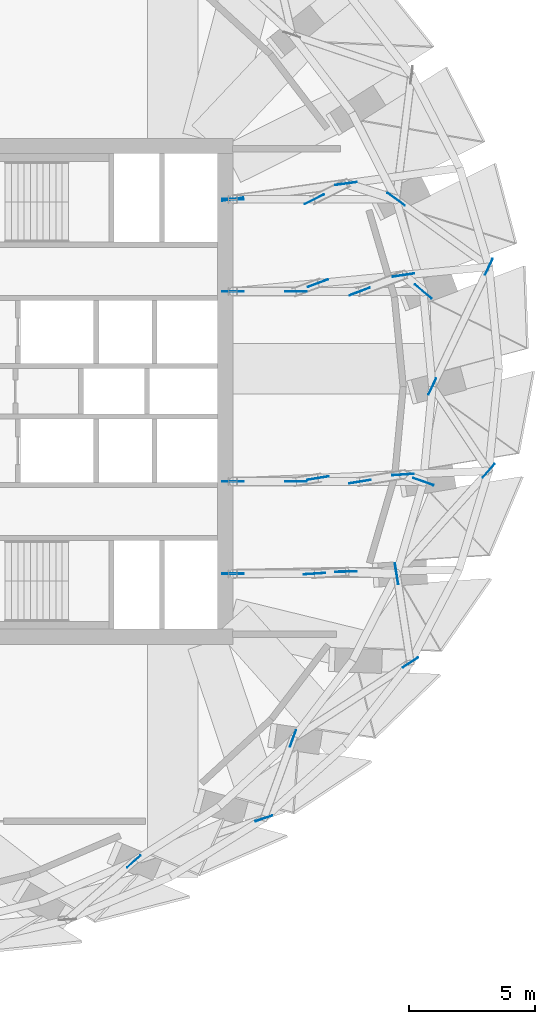
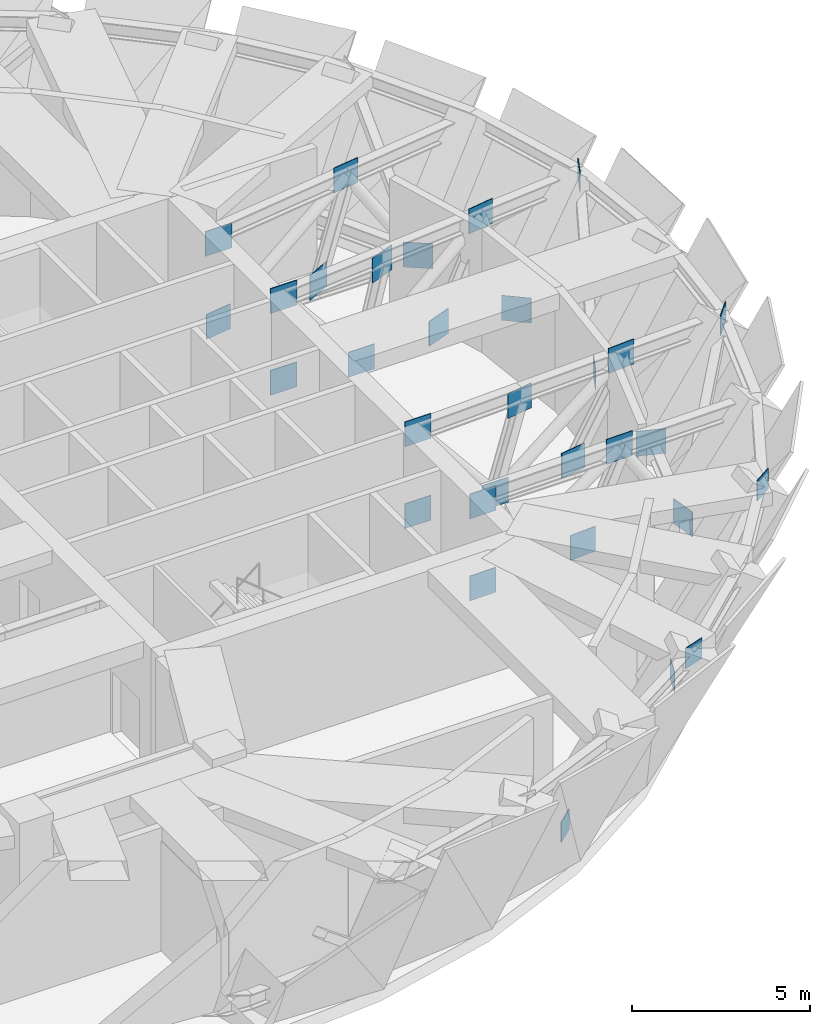
# One storey, part 11 of 16: 31 discrete accessories.
"""IFC4 building model written with IfcOpenShell, lengths in metres."""

from ifc_helpers import new_model, si_unit, direction, frame, origin, origin_2d, place, context, subcontext, project, spatial, rectangle, extrude, material, type_object, element, save


model = new_model("IFC4")

# Units and contexts
model_context = context("Model", 3, precision=1e-05, world=origin(), true_north=direction((0.0, 1.0)))
body_context = subcontext(model_context, "Body", "Model", "MODEL_VIEW")
ifc_project = project(units=[si_unit("LENGTHUNIT", "METRE"), si_unit("AREAUNIT", "SQUARE_METRE"), si_unit("VOLUMEUNIT", "CUBIC_METRE"), si_unit("PLANEANGLEUNIT", "RADIAN"), si_unit("MASSUNIT", "GRAM", prefix="KILO")], contexts=[model_context])

# Site, building, storey
site_placement = place(None, origin())
site = spatial("IfcSite", under=ifc_project, at=site_placement, CompositionType="ELEMENT")
building_placement = place(site_placement, origin())
building = spatial("IfcBuilding", under=site, at=building_placement, Name="Taillehof Tower", CompositionType="ELEMENT")
storey_placement = place(building_placement, frame((0.0, 0.0, 184.699951171875)))
storey = spatial("IfcBuildingStorey", under=building, at=storey_placement, Name="L52", CompositionType="ELEMENT", Elevation=184.699951171875)

# Discrete accessories
ifc_material = material(Name="Steel S460M", Category="steel")
discrete_accessory_type = type_object("IfcDiscreteAccessoryType", Name="Steel gusset plate", PredefinedType="BRACKET", material=ifc_material)
discrete_accessory_1_placement = place(storey_placement, frame((12.090087890625, -18.590087890625, 0.55029296875), z_axis=(0.0, 0.0, 1.0), x_axis=(0.752013548473, 0.659147648795, 0.0)))
element("IfcDiscreteAccessory", 1, at=discrete_accessory_1_placement, inside=storey, type_object=discrete_accessory_type, Name="Gusset plate 249", PredefinedType="BRACKET", context=body_context, shape_type="SweptSolid", body=[
    extrude(rectangle(XDim=0.699951171875, YDim=0.02490234375, at=origin_2d()), origin(), (0.0, 0.0, 1.0), 0.699951171875),
])
for number, where, z_axis, x_axis, name in (
    (2, (16.0, -7.2099609375, 0.47509765625), (0.0, 0.0, 1.0), (0.999842906306, 0.017724635682, 0.0), "Gusset plate 250"),
    (3, (16.0, -3.570068359375, 3.534912109375), (0.0, 0.0, 1.0), (1.0, 0.0, 0.0), "Gusset plate 251"),
    (4, (16.0, 3.949951171875, 3.534912109375), (0.0, 0.0, 1.0), (1.0, 0.0, 0.0), "Gusset plate 252"),
    (5, (16.0, 7.60009765625, 0.47509765625), (0.0, 0.0, 1.0), (0.990546848738, 0.137174853584, 0.0), "Gusset plate 253"),
):
    element("IfcDiscreteAccessory", number, at=place(storey_placement, frame(where, z_axis=z_axis, x_axis=x_axis)), inside=storey, type_object=discrete_accessory_type, Name=name, PredefinedType="BRACKET", context=body_context, shape_type="SweptSolid", body=[
        extrude(rectangle(XDim=0.85009765625, YDim=0.02490234375, at=origin_2d()), origin(), (0.0, 0.0, 1.0), 0.85009765625),
    ])
for number, where, z_axis, x_axis, name in (
    (6, (17.22998046875, -16.889892578125, 3.6201171875), (0.0, 0.0, 1.0), (0.949513123857, 0.313727314119, 0.0), "Gusset plate 254"),
    (7, (18.3798828125, -13.72998046875, 0.55029296875), (0.0, 0.0, 1.0), (0.343263019006, 0.93923931976, 0.0), "Gusset plate 257"),
):
    element("IfcDiscreteAccessory", number, at=place(storey_placement, frame(where, z_axis=z_axis, x_axis=x_axis)), inside=storey, type_object=discrete_accessory_type, Name=name, PredefinedType="BRACKET", context=body_context, shape_type="SweptSolid", body=[
        extrude(rectangle(XDim=0.699951171875, YDim=0.02490234375, at=origin_2d()), origin(), (0.0, 0.0, 1.0), 0.699951171875),
    ])
for number, where, z_axis, x_axis, name in (
    (8, (18.510009765625, -3.570068359375, 0.47509765625), (0.0, 0.0, 1.0), (1.0, 0.0, 0.0), "Gusset plate 258"),
    (9, (18.510009765625, 3.949951171875, 0.47509765625), (0.0, 0.0, 1.0), (1.0, 0.0, 0.0), "Gusset plate 259"),
    (10, (20.469970703125, -7.1298828125, 3.534912109375), (0.0, 0.0, 1.0), (0.999842906306, 0.017724635682, 0.0), "Gusset plate 260"),
    (11, (20.47998046875, 8.219970703125, 3.534912109375), (0.0, 0.0, 1.0), (0.990546848738, 0.137174853584, 0.0), "Gusset plate 261"),
    (12, (22.4599609375, 7.60009765625, 0.47509765625), (0.0, 0.0, 1.0), (-0.809414849816, 0.587237261162, 0.0), "Gusset plate 262"),
    (13, (22.47998046875, -7.2099609375, 0.47509765625), (0.0, 0.0, 1.0), (-0.153399770987, 0.988164212194, 0.0), "Gusset plate 263"),
    (14, (22.739990234375, -3.2900390625, 3.534912109375), (0.0, 0.0, 1.0), (0.997786173402, 0.066503775595, 0.0), "Gusset plate 264"),
    (15, (22.75, 4.60009765625, 3.534912109375), (0.0, 0.0, 1.0), (0.988471964442, 0.151404014185, 0.0), "Gusset plate 265"),
):
    element("IfcDiscreteAccessory", number, at=place(storey_placement, frame(where, z_axis=z_axis, x_axis=x_axis)), inside=storey, type_object=discrete_accessory_type, Name=name, PredefinedType="BRACKET", context=body_context, shape_type="SweptSolid", body=[
        extrude(rectangle(XDim=0.85009765625, YDim=0.02490234375, at=origin_2d()), origin(), (0.0, 0.0, 1.0), 0.85009765625),
    ])
discrete_accessory_2_placement = place(storey_placement, frame((23.030029296875, -10.719970703125, 3.6201171875), z_axis=(0.0, 0.0, 1.0), x_axis=(0.838841629955, 0.544375532013, 0.0)))
element("IfcDiscreteAccessory", 16, at=discrete_accessory_2_placement, inside=storey, type_object=discrete_accessory_type, Name="Gusset plate 266", PredefinedType="BRACKET", context=body_context, shape_type="SweptSolid", body=[
    extrude(rectangle(XDim=0.699951171875, YDim=0.02490234375, at=origin_2d()), origin(), (0.0, 0.0, 1.0), 0.699951171875),
])
for number, where, z_axis, x_axis, name in (
    (17, (23.530029296875, 3.949951171875, 0.47509765625), (0.0, 0.0, 1.0), (0.768587316003, -0.639744900472, 0.0), "Gusset plate 268"),
    (18, (23.5400390625, -3.570068359375, 0.47509765625), (0.0, 0.0, 1.0), (0.943375606679, -0.331726490838, 0.0), "Gusset plate 269"),
):
    element("IfcDiscreteAccessory", number, at=place(storey_placement, frame(where, z_axis=z_axis, x_axis=x_axis)), inside=storey, type_object=discrete_accessory_type, Name=name, PredefinedType="BRACKET", context=body_context, shape_type="SweptSolid", body=[
        extrude(rectangle(XDim=0.85009765625, YDim=0.02490234375, at=origin_2d()), origin(), (0.0, 0.0, 1.0), 0.85009765625),
    ])
for number, where, z_axis, x_axis, name in (
    (19, (23.889892578125, 0.18994140625, 0.55029296875), (0.0, 0.0, 1.0), (0.42752984912, 0.904001232362, 0.0), "Gusset plate 270"),
    (20, (26.1201171875, -3.139892578125, 3.6201171875), (0.0, 0.0, 1.0), (0.666540276819, 0.74546901973, 0.0), "Gusset plate 271"),
    (21, (26.1298828125, 4.929931640625, 3.6201171875), (0.0, 0.0, 1.0), (0.42752984912, 0.904001232362, 0.0), "Gusset plate 272"),
):
    element("IfcDiscreteAccessory", number, at=place(storey_placement, frame(where, z_axis=z_axis, x_axis=x_axis)), inside=storey, type_object=discrete_accessory_type, Name=name, PredefinedType="BRACKET", context=body_context, shape_type="SweptSolid", body=[
        extrude(rectangle(XDim=0.699951171875, YDim=0.02490234375, at=origin_2d()), origin(), (0.0, 0.0, 1.0), 0.699951171875),
    ])
for number, where, z_axis, x_axis, name in (
    (22, (16.0, 3.949951171875, 0.735107421875), (0.0, 0.0, 1.0), (1.0, 0.0, 0.0), "Gusset plate 482"),
    (23, (19.3701171875, 4.280029296875, 3.27490234375), (0.0, 0.0, 1.0), (0.936197631452, 0.351474031565, 0.0), "Gusset plate 483"),
    (24, (21.02001953125, 3.949951171875, 0.735107421875), (0.0, 0.0, 1.0), (0.936198858322, 0.351470763616, 0.0), "Gusset plate 484"),
    (25, (16.0, 7.60009765625, 3.27490234375), (0.0, 0.0, 1.0), (1.0, 0.0, 0.0), "Gusset plate 485"),
    (26, (19.22998046875, 7.60009765625, 0.735107421875), (0.0, 0.0, 1.0), (0.895928167741, 0.444198962457, 0.0), "Gusset plate 486"),
    (27, (16.0, -7.2099609375, 3.27490234375), (0.0, 0.0, 1.0), (1.0, 0.0, 0.0), "Gusset plate 487"),
    (28, (19.239990234375, -7.2099609375, 0.735107421875), (0.0, 0.0, 1.0), (0.997921583399, 0.064439998337, 0.0), "Gusset plate 488"),
    (29, (16.0, -3.570068359375, 0.735107421875), (0.0, 0.0, 1.0), (1.0, 0.0, 0.0), "Gusset plate 489"),
    (30, (19.3701171875, -3.429931640625, 3.27490234375), (0.0, 0.0, 1.0), (0.986741805398, 0.162297903495, 0.0), "Gusset plate 490"),
    (31, (21.030029296875, -3.570068359375, 0.735107421875), (0.0, 0.0, 1.0), (0.986741805398, 0.162297903495, 0.0), "Gusset plate 491"),
):
    element("IfcDiscreteAccessory", number, at=place(storey_placement, frame(where, z_axis=z_axis, x_axis=x_axis)), inside=storey, type_object=discrete_accessory_type, Name=name, PredefinedType="BRACKET", context=body_context, shape_type="SweptSolid", body=[
        extrude(rectangle(XDim=0.85009765625, YDim=0.02490234375, at=origin_2d()), origin(), (0.0, 0.0, 1.0), 0.85009765625),
    ])

save(model, "model.ifc")
